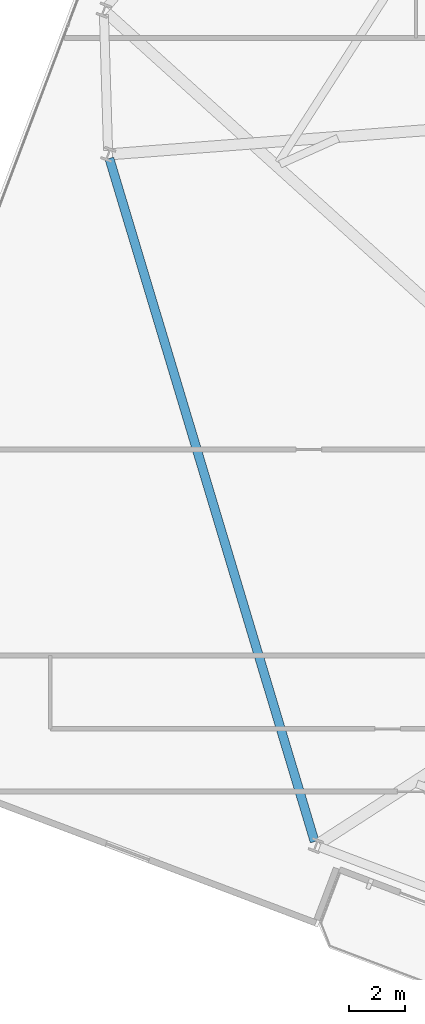
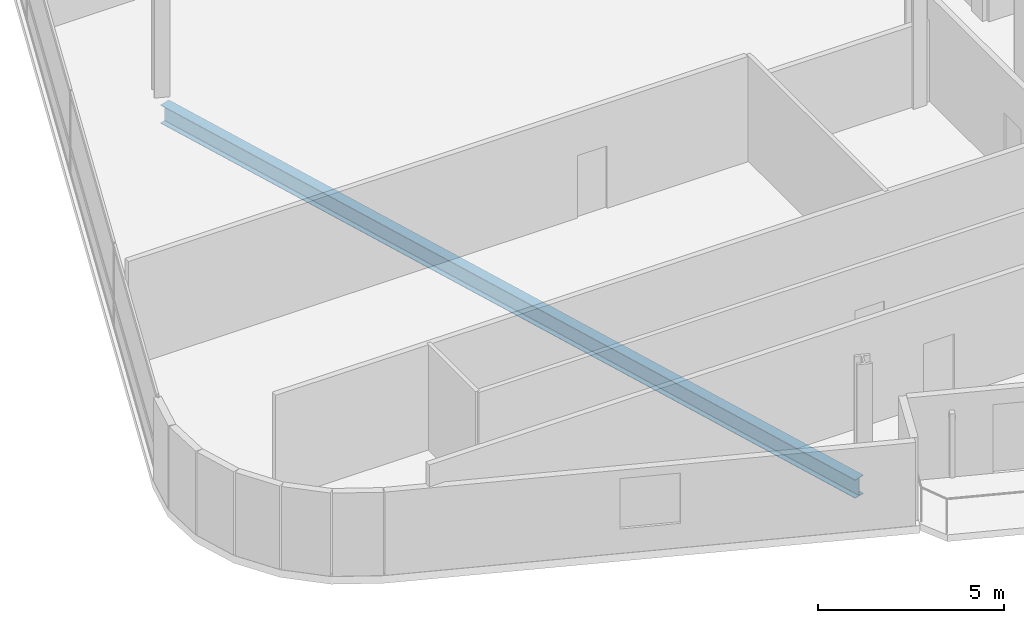
# One storey, part 5 of 24: 1 beam.
"""IFC4 building model written with IfcOpenShell, lengths in metres."""

from ifc_helpers import new_model, si_unit, direction, frame, origin, origin_2d, place, context, subcontext, project, spatial, i_section, extrude, material, material_profile, profile_set, type_object, element, save


model = new_model("IFC4")

# Units and contexts
model_context = context("Model", 3, precision=1e-05, world=origin(), true_north=direction((0.0, 1.0)))
body_context = subcontext(model_context, "Body", "Model", "MODEL_VIEW")
ifc_project = project(units=[si_unit("LENGTHUNIT", "METRE"), si_unit("AREAUNIT", "SQUARE_METRE"), si_unit("VOLUMEUNIT", "CUBIC_METRE"), si_unit("PLANEANGLEUNIT", "RADIAN"), si_unit("MASSUNIT", "GRAM", prefix="KILO")], contexts=[model_context])

# Site, building, storey
site_placement = place(None, origin())
site = spatial("IfcSite", under=ifc_project, at=site_placement, CompositionType="ELEMENT")
building_placement = place(site_placement, origin())
building = spatial("IfcBuilding", under=site, at=building_placement, Name="Varnelok Gate Tower", CompositionType="ELEMENT")
storey_placement = place(building_placement, frame((0.0, 0.0, 94.699951171875)))
storey = spatial("IfcBuildingStorey", under=building, at=storey_placement, Name="L23", CompositionType="ELEMENT", Elevation=94.699951171875)

# Beam
ifc_material = material(Name="Structural Steel ASTM A992 Grade 50", Category="steel")
ifc_material_profile = material_profile(ifc_material, i_section(OverallWidth=0.323974609375, OverallDepth=0.611083984375, WebThickness=0.0126953125, FlangeThickness=0.01904296875, FilletRadius=0.01806640625, at=origin_2d()), Name="W24X104")
ifc_profile_set = profile_set([ifc_material_profile], Name="Structural Steel ASTM A992 Grade 50")
beam_type = type_object("IfcBeamType", Name="BM-SPN-W24X104", PredefinedType="SPANDREL", material=ifc_profile_set)
beam_placement = place(storey_placement, frame((7.124267578125, 37.102294921875, -0.555419921875), z_axis=(0.287734186054, -0.957710310154, 0.0), x_axis=(0.957710310154, 0.287734186054, 0.0)))
element("IfcBeam", 1, at=beam_placement, inside=storey, type_object=beam_type, Name="L23 Perimeter Spandrel Beam 16", PredefinedType="SPANDREL", context=body_context, shape_type="SweptSolid", body=[
    extrude(i_section(OverallWidth=0.323974609375, OverallDepth=0.611083984375, WebThickness=0.0126953125, FlangeThickness=0.01904296875, FilletRadius=0.01806640625, at=origin_2d()), origin(), (0.0, 0.0, 1.0), 25.626220703125),
])

save(model, "model.ifc")
